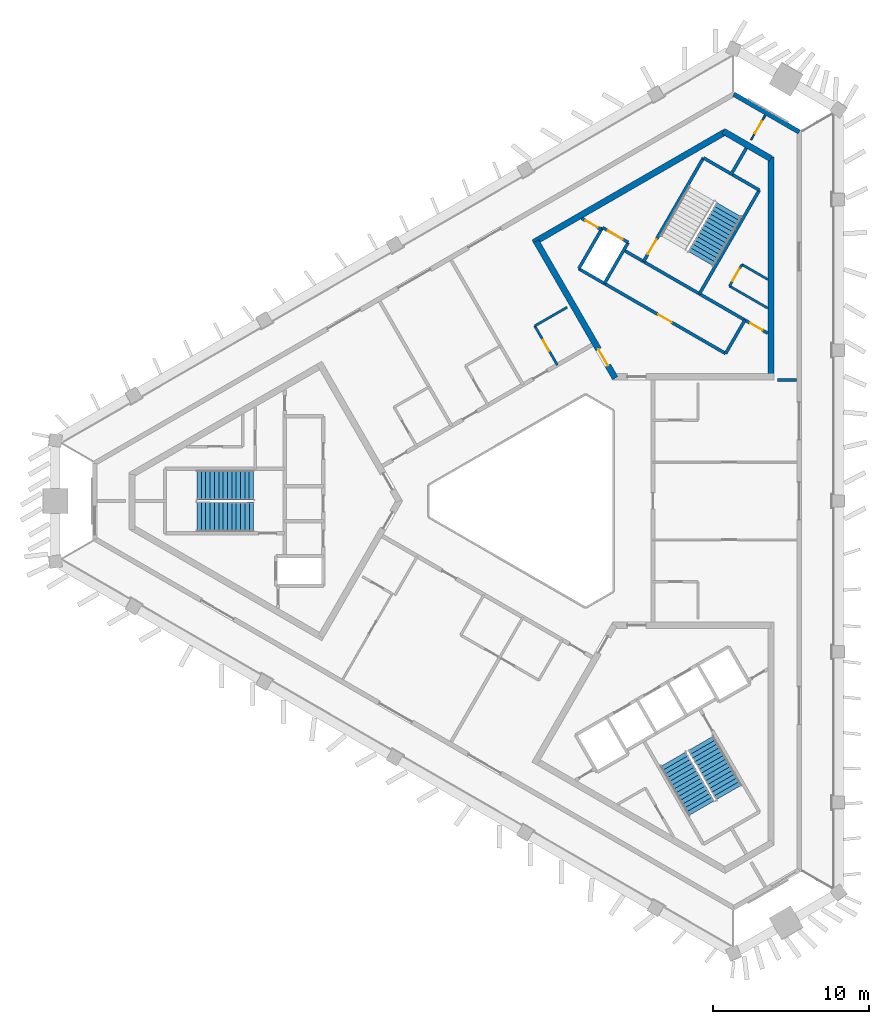
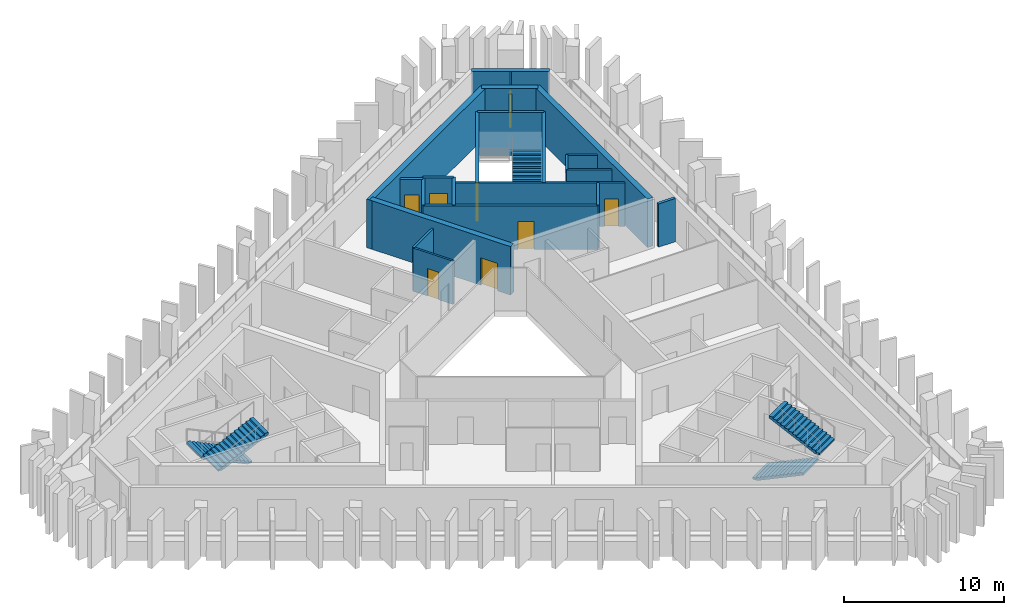
# One storey, part 5 of 9: 23 walls, 9 doors, 5 stair flights, 9 openings, 3 elements without a shape of their own.
"""IFC4 building model written with IfcOpenShell, lengths in metres."""

from ifc_helpers import new_model, si_unit, direction, frame, frame_2d, origin, place, context, subcontext, project, spatial, polyline, rectangle, outline, extrude, material, layer, layer_set, type_object, element, fill, aggregate, save


model = new_model("IFC4")

# Units and contexts
model_context = context("Model", 3, precision=1e-05, world=origin(), true_north=direction((0.0, 1.0)))
body_context = subcontext(model_context, "Body", "Model", "MODEL_VIEW")
ifc_project = project(units=[si_unit("LENGTHUNIT", "METRE"), si_unit("AREAUNIT", "SQUARE_METRE"), si_unit("VOLUMEUNIT", "CUBIC_METRE"), si_unit("PLANEANGLEUNIT", "RADIAN"), si_unit("MASSUNIT", "GRAM", prefix="KILO")], contexts=[model_context])

# Site, building, storey
site_placement = place(None, origin())
site = spatial("IfcSite", under=ifc_project, at=site_placement, CompositionType="ELEMENT")
building_placement = place(site_placement, origin())
building = spatial("IfcBuilding", under=site, at=building_placement, Name="Jabali Bay Hotel Tower and Convention Centre", CompositionType="ELEMENT")
storey_placement = place(building_placement, frame((0.0, 0.0, 277.5)))
storey = spatial("IfcBuildingStorey", under=building, at=storey_placement, Name="L68", CompositionType="ELEMENT", Elevation=277.5)

# Wall
ifc_material_1 = material(Name="Concrete C40", Category="concrete")
ifc_layer_1 = layer(ifc_material_1, 0.199951171875)
ifc_layer_set_1 = layer_set([ifc_layer_1], Name="Concrete C40")
wall_type_1 = type_object("IfcWallType", Name="Core partition wall 200", PredefinedType="PARTITIONING", material=ifc_layer_set_1)
wall_1_placement = place(storey_placement, frame((87.090087890625, 100.9404296875, 0.0), z_axis=(0.0, 0.0, 1.0), x_axis=(0.499941815747, 0.866058993873, 0.0)))
element("IfcWall", 1, at=wall_1_placement, inside=storey, type_object=wall_type_1, Name="Core wall 1.3 L68", PredefinedType="PARTITIONING", context=body_context, shape_type="SweptSolid", body=[
    extrude(rectangle(XDim=2.023193359375, YDim=0.199951171875, at=frame_2d((1.01171875, 0.0))), origin(), (0.0, 0.0, 1.0), 3.300048828125),
])

# Wall, opening, door
wall_2_placement = place(storey_placement, frame((78.7802734375, 97.447509765625, 0.0), z_axis=(0.0, 0.0, 1.0), x_axis=(-0.866045896294, 0.499964504253, 0.0)))
wall_2 = element("IfcWall", 2, at=wall_2_placement, inside=storey, type_object=wall_type_1, Name="Core wall 1.9 L68", PredefinedType="PARTITIONING", context=body_context, shape_type="SweptSolid", body=[
    extrude(rectangle(XDim=1.455078125, YDim=0.199951171875, at=frame_2d((0.7275390625, 0.0))), origin(), (0.0, 0.0, 1.0), 3.300048828125),
])
opening_1_placement = place(wall_2_placement, frame((0.277587890625, 0.0, 0.0)))
opening_1 = element("IfcOpeningElement", 3, at=opening_1_placement, cuts=wall_2, Name="Opening D1504", PredefinedType="OPENING", context=body_context, shape_type="SweptSolid", body=[
    extrude(rectangle(XDim=0.89990234375, YDim=2.10009765625, at=frame_2d((0.449951171875, 1.050048828125))), frame((0.0, 0.1103515625, 0.0), z_axis=(0.0, -1.0, 0.0), x_axis=(1.0, 0.0, 0.0)), (0.0, 0.0, 1.0), 0.220947265625),
])
ifc_material_2 = material(Name="Fire-rated steel door", Category="steel")
door_type_1 = type_object("IfcDoorType", Name="Vestibule fire door 900 x 2100", OperationType="NOTDEFINED", PredefinedType="NOTDEFINED", material=ifc_material_2)
door_1_placement = place(opening_1_placement, origin())
door_1 = element("IfcDoor", 4, at=door_1_placement, inside=storey, type_object=door_type_1, Name="Vestibule fire door D1504", OperationType="SINGLE_SWING_LEFT", OverallHeight=2.10009765625, OverallWidth=0.89990234375, PredefinedType="NOTDEFINED", context=body_context, shape_type="SweptSolid", body=[
    extrude(rectangle(XDim=0.89990234375, YDim=2.10009765625, at=frame_2d((0.449951171875, 1.050048828125))), frame((0.0, 0.02490234375, 0.0), z_axis=(0.0, -1.0, 0.0), x_axis=(1.0, 0.0, 0.0)), (0.0, 0.0, 1.0), 0.050048828125),
])
fill(opening_1, door_1)

ifc_material_3 = material(Name="Fire-rated board partition")
ifc_layer_2 = layer(ifc_material_3, 0.14990234375)
ifc_layer_set_2 = layer_set([ifc_layer_2], Name="Fire-rated board partition")
wall_type_2 = type_object("IfcWallType", Name="Core room partition 150", PredefinedType="PARTITIONING", material=ifc_layer_set_2)
wall_3_placement = place(storey_placement, frame((87.02099609375, 93.821044921875, 0.0), z_axis=(0.0, 0.0, 1.0), x_axis=(0.499995408039, 0.866028054938, 0.0)))
wall_3 = element("IfcWall", 5, at=wall_3_placement, inside=storey, type_object=wall_type_2, Name="Core wall 1.1 L68", PredefinedType="PARTITIONING", context=body_context, shape_type="SweptSolid", body=[
    extrude(rectangle(XDim=1.60009765625, YDim=0.14990234375, at=frame_2d((0.800048828125, 0.0))), origin(), (0.0, 0.0, 1.0), 3.300048828125),
])
opening_2_placement = place(wall_3_placement, frame((0.387451171875, 0.0, 0.0)))
opening_2 = element("IfcOpeningElement", 6, at=opening_2_placement, cuts=wall_3, Name="Opening D1507", PredefinedType="OPENING", context=body_context, shape_type="SweptSolid", body=[
    extrude(rectangle(XDim=0.89990234375, YDim=2.10009765625, at=frame_2d((0.449951171875, 1.050048828125))), frame((0.0, 0.08544921875, 0.0), z_axis=(0.0, -1.0, 0.0), x_axis=(1.0, 0.0, 0.0)), (0.0, 0.0, 1.0), 0.1708984375),
])
door_type_2 = type_object("IfcDoorType", Name="Core room door 900 x 2100", OperationType="NOTDEFINED", PredefinedType="NOTDEFINED", material=ifc_material_2)
door_2_placement = place(opening_2_placement, origin())
door_2 = element("IfcDoor", 7, at=door_2_placement, inside=storey, type_object=door_type_2, Name="Core room door D1507", OperationType="SINGLE_SWING_LEFT", OverallHeight=2.10009765625, OverallWidth=0.89990234375, PredefinedType="NOTDEFINED", context=body_context, shape_type="SweptSolid", body=[
    extrude(rectangle(XDim=0.89990234375, YDim=2.10009765625, at=frame_2d((0.449951171875, 1.050048828125))), frame((0.0, 0.02490234375, 0.0), z_axis=(0.0, -1.0, 0.0), x_axis=(1.0, 0.0, 0.0)), (0.0, 0.0, 1.0), 0.050048828125),
])
fill(opening_2, door_2)

# Walls
wall_4_placement = place(storey_placement, frame((89.47998046875, 92.4013671875, 0.0), z_axis=(0.0, 0.0, 1.0), x_axis=(-0.866028081176, 0.499995362593, 0.0)))
element("IfcWall", 8, at=wall_4_placement, inside=storey, type_object=wall_type_2, Name="Core wall 1.11 L68", PredefinedType="PARTITIONING", context=body_context, shape_type="SweptSolid", body=[
    extrude(rectangle(XDim=2.83935546875, YDim=0.14990234375, at=frame_2d((1.419677734375, 0.0))), origin(), (0.0, 0.0, 1.0), 3.300048828125),
])
wall_5_placement = place(storey_placement, frame((89.47998046875, 94.2490234375, 0.0), z_axis=(0.0, 0.0, 1.0), x_axis=(-0.866030650962, 0.499990911512, 0.0)))
element("IfcWall", 9, at=wall_5_placement, inside=storey, type_object=wall_type_2, Name="Core wall 1.12 L68", PredefinedType="PARTITIONING", context=body_context, shape_type="SweptSolid", body=[
    extrude(rectangle(XDim=1.91552734375, YDim=0.14990234375, at=frame_2d((0.957763671875, 0.0))), origin(), (0.0, 0.0, 1.0), 3.300048828125),
])
ifc_layer_3 = layer(ifc_material_1, 0.199951171875)
ifc_layer_set_3 = layer_set([ifc_layer_3], Name="Concrete C40")
wall_type_3 = type_object("IfcWallType", Name="Core stair wall 200", PredefinedType="SOLIDWALL", material=ifc_layer_set_3)
wall_6_placement = place(storey_placement, frame((86.769775390625, 89.48583984375, 0.0), z_axis=(0.0, 0.0, 1.0), x_axis=(0.499961042966, 0.86604789447, 0.0)))
element("IfcWall", 10, at=wall_6_placement, inside=storey, type_object=wall_type_3, Name="Core wall 1.0 L68", PredefinedType="SOLIDWALL", context=body_context, shape_type="SweptSolid", body=[
    extrude(rectangle(XDim=2.480224609375, YDim=0.199951171875, at=frame_2d((1.240234375, 0.0))), origin(), (0.0, 0.0, 1.0), 3.300048828125),
])
wall_7_placement = place(storey_placement, frame((85.0869140625, 93.3212890625, 0.0), z_axis=(0.0, 0.0, 1.0), x_axis=(0.500019787375, 0.866013979237, 0.0)))
element("IfcWall", 11, at=wall_7_placement, inside=storey, type_object=wall_type_3, Name="Core wall 1.2 L68", PredefinedType="SOLIDWALL", context=body_context, shape_type="SweptSolid", body=[
    extrude(rectangle(XDim=7.699951171875, YDim=0.199951171875, at=frame_2d((3.85009765625, 0.0))), origin(), (0.0, 0.0, 1.0), 3.300048828125),
])

# Wall, opening, door
wall_8_placement = place(storey_placement, frame((81.492919921875, 95.396240234375, 0.0), z_axis=(0.0, 0.0, 1.0), x_axis=(0.500006057782, 0.866021906294, 0.0)))
wall_8 = element("IfcWall", 12, at=wall_8_placement, inside=storey, type_object=wall_type_3, Name="Core wall 1.4 L68", PredefinedType="SOLIDWALL", context=body_context, shape_type="SweptSolid", body=[
    extrude(rectangle(XDim=7.7001953125, YDim=0.199951171875, at=frame_2d((3.85009765625, 0.0))), origin(), (0.0, 0.0, 1.0), 3.300048828125),
])
opening_3_placement = place(wall_8_placement, frame((0.550048828125, 0.0, 0.0)))
opening_3 = element("IfcOpeningElement", 13, at=opening_3_placement, cuts=wall_8, Name="Opening D1506", PredefinedType="OPENING", context=body_context, shape_type="SweptSolid", body=[
    extrude(rectangle(XDim=1.10009765625, YDim=2.10009765625, at=frame_2d((0.550048828125, 1.050048828125))), frame((0.0, 0.1103515625, 0.0), z_axis=(0.0, -1.0, 0.0), x_axis=(1.0, 0.0, 0.0)), (0.0, 0.0, 1.0), 0.220947265625),
])
door_type_3 = type_object("IfcDoorType", Name="Stair fire door 1100 x 2100", OperationType="NOTDEFINED", PredefinedType="NOTDEFINED", material=ifc_material_2)
door_3_placement = place(opening_3_placement, origin())
door_3 = element("IfcDoor", 14, at=door_3_placement, inside=storey, type_object=door_type_3, Name="Stair fire door D1506", OperationType="SINGLE_SWING_RIGHT", OverallHeight=2.10009765625, OverallWidth=1.10009765625, PredefinedType="NOTDEFINED", context=body_context, shape_type="SweptSolid", body=[
    extrude(rectangle(XDim=1.10009765625, YDim=2.10009765625, at=frame_2d((0.550048828125, 1.050048828125))), frame((0.0, 0.02490234375, 0.0), z_axis=(0.0, -1.0, 0.0), x_axis=(1.0, 0.0, 0.0)), (0.0, 0.0, 1.0), 0.050048828125),
])
fill(opening_3, door_3)

# Walls
for number, where, z_axis, x_axis, name in (
    (15, (78.9755859375, 93.98583984375, 0.0), (0.0, 0.0, 1.0), (0.499944174705, 0.866057632134, 0.0), "Core wall 1.5 L68"),
    (16, (77.330078125, 94.93603515625, 0.0), (0.0, 0.0, 1.0), (0.500038867431, 0.8660029625, 0.0), "Core wall 1.6 L68"),
):
    element("IfcWall", number, at=place(storey_placement, frame(where, z_axis=z_axis, x_axis=x_axis)), inside=storey, type_object=wall_type_3, Name=name, PredefinedType="SOLIDWALL", context=body_context, shape_type="SweptSolid", body=[
        extrude(rectangle(XDim=3.050048828125, YDim=0.199951171875, at=frame_2d((1.52490234375, 0.0))), origin(), (0.0, 0.0, 1.0), 3.300048828125),
    ])

# Wall, opening, door
wall_9_placement = place(storey_placement, frame((86.769775390625, 89.48583984375, 0.0), z_axis=(0.0, 0.0, 1.0), x_axis=(-0.86601811187, 0.500012629753, 0.0)))
wall_9 = element("IfcWall", 17, at=wall_9_placement, inside=storey, type_object=wall_type_3, Name="Core wall 1.7 L68", PredefinedType="SOLIDWALL", context=body_context, shape_type="SweptSolid", body=[
    extrude(rectangle(XDim=10.900146484375, YDim=0.199951171875, at=frame_2d((5.4501953125, 0.0))), origin(), (0.0, 0.0, 1.0), 3.300048828125),
])
opening_4_placement = place(wall_9_placement, frame((4.0, 0.0, 0.0)))
opening_4 = element("IfcOpeningElement", 18, at=opening_4_placement, cuts=wall_9, Name="Opening D1503", PredefinedType="OPENING", context=body_context, shape_type="SweptSolid", body=[
    extrude(rectangle(XDim=1.0, YDim=2.10009765625, at=frame_2d((0.5, 1.050048828125))), frame((0.0, 0.1103515625, 0.0), z_axis=(0.0, -1.0, 0.0), x_axis=(1.0, 0.0, 0.0)), (0.0, 0.0, 1.0), 0.220947265625),
])
door_type_4 = type_object("IfcDoorType", Name="Core room door 1000 x 2100", OperationType="NOTDEFINED", PredefinedType="NOTDEFINED", material=ifc_material_2)
door_4_placement = place(opening_4_placement, origin())
door_4 = element("IfcDoor", 19, at=door_4_placement, inside=storey, type_object=door_type_4, Name="Core room door D1503", OperationType="SINGLE_SWING_RIGHT", OverallHeight=2.10009765625, OverallWidth=1.0, PredefinedType="NOTDEFINED", context=body_context, shape_type="SweptSolid", body=[
    extrude(rectangle(XDim=1.0, YDim=2.10009765625, at=frame_2d((0.5, 1.050048828125))), frame((0.0, 0.02490234375, 0.0), z_axis=(0.0, -1.0, 0.0), x_axis=(1.0, 0.0, 0.0)), (0.0, 0.0, 1.0), 0.050048828125),
])
fill(opening_4, door_4)

wall_10_placement = place(storey_placement, frame((89.47998046875, 90.784912109375, 0.0), z_axis=(0.0, 0.0, 1.0), x_axis=(-0.866022544512, 0.500004952373, 0.0)))
wall_10 = element("IfcWall", 20, at=wall_10_placement, inside=storey, type_object=wall_type_3, Name="Core wall 1.8 L68", PredefinedType="SOLIDWALL", context=body_context, shape_type="SweptSolid", body=[
    extrude(rectangle(XDim=10.69775390625, YDim=0.199951171875, at=frame_2d((5.348876953125, 0.0))), origin(), (0.0, 0.0, 1.0), 3.300048828125),
])
opening_5_placement = place(wall_10_placement, frame((0.398681640625, 0.0, 0.0)))
opening_5 = element("IfcOpeningElement", 21, at=opening_5_placement, cuts=wall_10, Name="Opening D1505", PredefinedType="OPENING", context=body_context, shape_type="SweptSolid", body=[
    extrude(rectangle(XDim=0.89990234375, YDim=2.10009765625, at=frame_2d((0.449951171875, 1.050048828125))), frame((0.0, 0.1103515625, 0.0), z_axis=(0.0, -1.0, 0.0), x_axis=(1.0, 0.0, 0.0)), (0.0, 0.0, 1.0), 0.220947265625),
])
door_5_placement = place(opening_5_placement, origin())
door_5 = element("IfcDoor", 22, at=door_5_placement, inside=storey, type_object=door_type_1, Name="Vestibule fire door D1505", OperationType="SINGLE_SWING_LEFT", OverallHeight=2.10009765625, OverallWidth=0.89990234375, PredefinedType="NOTDEFINED", context=body_context, shape_type="SweptSolid", body=[
    extrude(rectangle(XDim=0.89990234375, YDim=2.10009765625, at=frame_2d((0.449951171875, 1.050048828125))), frame((0.0, 0.02490234375, 0.0), z_axis=(0.0, -1.0, 0.0), x_axis=(1.0, 0.0, 0.0)), (0.0, 0.0, 1.0), 0.050048828125),
])
fill(opening_5, door_5)

wall_11_placement = place(storey_placement, frame((80.50048828125, 96.62744140625, 0.0), z_axis=(0.0, 0.0, 1.0), x_axis=(-0.86601224135, 0.500022797313, 0.0)))
wall_11 = element("IfcWall", 23, at=wall_11_placement, inside=storey, type_object=wall_type_3, Name="Core wall 1.10 L68", PredefinedType="SOLIDWALL", context=body_context, shape_type="SweptSolid", body=[
    extrude(rectangle(XDim=1.89990234375, YDim=0.199951171875, at=frame_2d((0.949951171875, 0.0))), origin(), (0.0, 0.0, 1.0), 3.300048828125),
])
opening_6_placement = place(wall_11_placement, frame((0.39990234375, 0.0, 0.0)))
opening_6 = element("IfcOpeningElement", 24, at=opening_6_placement, cuts=wall_11, Name="Opening LD10-L68", PredefinedType="OPENING", context=body_context, shape_type="SweptSolid", body=[
    extrude(rectangle(XDim=1.10009765625, YDim=2.10009765625, at=frame_2d((0.550048828125, 1.050048828125))), frame((0.0, 0.1103515625, 0.0), z_axis=(0.0, -1.0, 0.0), x_axis=(1.0, 0.0, 0.0)), (0.0, 0.0, 1.0), 0.220947265625),
])
ifc_material_4 = material(Name="Stainless steel landing door", Category="steel")
door_type_5 = type_object("IfcDoorType", Name="Landing door 1100 x 2100", OperationType="NOTDEFINED", PredefinedType="NOTDEFINED", material=ifc_material_4)
door_6_placement = place(opening_6_placement, origin())
door_6 = element("IfcDoor", 25, at=door_6_placement, inside=storey, type_object=door_type_5, Name="Landing doors LD10-L68", OperationType="SLIDING_TO_RIGHT", OverallHeight=2.10009765625, OverallWidth=1.10009765625, PredefinedType="NOTDEFINED", context=body_context, shape_type="SweptSolid", body=[
    extrude(rectangle(XDim=1.10009765625, YDim=2.10009765625, at=frame_2d((0.550048828125, 1.050048828125))), frame((0.0, 0.02490234375, 0.0), z_axis=(0.0, -1.0, 0.0), x_axis=(1.0, 0.0, 0.0)), (0.0, 0.0, 1.0), 0.050048828125),
])
fill(opening_6, door_6)

# Walls
wall_12_placement = place(storey_placement, frame((88.93701171875, 99.989501953125, 0.0), z_axis=(0.0, 0.0, 1.0), x_axis=(-0.866004344652, 0.500036473714, 0.0)))
element("IfcWall", 26, at=wall_12_placement, inside=storey, type_object=wall_type_3, Name="Core wall 1.13 L68", PredefinedType="SOLIDWALL", context=body_context, shape_type="SweptSolid", body=[
    extrude(rectangle(XDim=4.150146484375, YDim=0.199951171875, at=frame_2d((2.0751953125, 0.0))), origin(), (0.0, 0.0, 1.0), 3.300048828125),
])
ifc_material_5 = material(Name="Concrete C60", Category="concrete")
ifc_layer_4 = layer(ifc_material_5, 0.39990234375)
ifc_layer_set_4 = layer_set([ifc_layer_4], Name="Concrete C60")
wall_type_4 = type_object("IfcWallType", Name="Core wall 400", PredefinedType="SHEAR", material=ifc_layer_set_4)
wall_13_placement = place(storey_placement, frame((89.679931640625, 87.994140625, 0.0), z_axis=(0.0, 0.0, 1.0), x_axis=(0.0, 1.0, 0.0)))
element("IfcWall", 27, at=wall_13_placement, inside=storey, type_object=wall_type_4, Name="Core wall 2.2 L68", PredefinedType="SHEAR", context=body_context, shape_type="SweptSolid", body=[
    extrude(rectangle(XDim=14.133544921875, YDim=0.39990234375, at=frame_2d((7.06689453125, 0.0))), origin(), (0.0, 0.0, 1.0), 3.699951171875),
])
wall_14_placement = place(storey_placement, frame((89.679931640625, 102.01220703125, 0.0), z_axis=(0.0, 0.0, 1.0), x_axis=(-0.866025485263, 0.499999858875, 0.0)))
element("IfcWall", 28, at=wall_14_placement, inside=storey, type_object=wall_type_4, Name="Core wall 2.3 L68", PredefinedType="SHEAR", context=body_context, shape_type="SweptSolid", body=[
    extrude(rectangle(XDim=3.52978515625, YDim=0.39990234375, at=frame_2d((1.764892578125, 0.0))), origin(), (0.0, 0.0, 1.0), 3.699951171875),
])
wall_15_placement = place(storey_placement, frame((86.72314453125, 103.71923828125, 0.0), z_axis=(0.0, 0.0, 1.0), x_axis=(-0.866030317223, -0.499991489579, 0.0)))
element("IfcWall", 29, at=wall_15_placement, inside=storey, type_object=wall_type_4, Name="Core wall 2.4 L68", PredefinedType="SHEAR", context=body_context, shape_type="SweptSolid", body=[
    extrude(rectangle(XDim=14.218017578125, YDim=0.39990234375, at=frame_2d((7.10888671875, 0.0))), origin(), (0.0, 0.0, 1.0), 3.699951171875),
])

# Wall, opening, door
wall_16_placement = place(storey_placement, frame((74.583251953125, 96.71044921875, 0.0), z_axis=(0.0, 0.0, 1.0), x_axis=(0.499987488796, -0.866032627011, 0.0)))
wall_16 = element("IfcWall", 30, at=wall_16_placement, inside=storey, type_object=wall_type_4, Name="Core wall 2.5 L68", PredefinedType="SHEAR", context=body_context, shape_type="SweptSolid", body=[
    extrude(rectangle(XDim=10.179931640625, YDim=0.39990234375, at=frame_2d((5.08984375, 0.0))), origin(), (0.0, 0.0, 1.0), 3.699951171875),
])
opening_7_placement = place(wall_16_placement, frame((8.030029296875, 0.0, 0.0)))
opening_7 = element("IfcOpeningElement", 31, at=opening_7_placement, cuts=wall_16, Name="Opening D1502", PredefinedType="OPENING", context=body_context, shape_type="SweptSolid", body=[
    extrude(rectangle(XDim=1.199951171875, YDim=2.10009765625, at=frame_2d((0.60009765625, 1.050048828125))), frame((0.0, 0.21044921875, 0.0), z_axis=(0.0, -1.0, 0.0), x_axis=(1.0, 0.0, 0.0)), (0.0, 0.0, 1.0), 0.4208984375),
])
door_type_6 = type_object("IfcDoorType", Name="Corridor end fire door 1200 x 2100", OperationType="NOTDEFINED", PredefinedType="NOTDEFINED", material=ifc_material_2)
door_7_placement = place(opening_7_placement, origin())
door_7 = element("IfcDoor", 32, at=door_7_placement, inside=storey, type_object=door_type_6, Name="Corridor end fire door D1502", OperationType="SINGLE_SWING_LEFT", OverallHeight=2.10009765625, OverallWidth=1.199951171875, PredefinedType="NOTDEFINED", context=body_context, shape_type="SweptSolid", body=[
    extrude(rectangle(XDim=1.199951171875, YDim=2.10009765625, at=frame_2d((0.60009765625, 1.050048828125))), frame((0.0, 0.02490234375, 0.0), z_axis=(0.0, -1.0, 0.0), x_axis=(1.0, 0.0, 0.0)), (0.0, 0.0, 1.0), 0.050048828125),
])
fill(opening_7, door_7)

# Wall
ifc_layer_5 = layer(ifc_material_1, 0.300048828125)
ifc_layer_set_5 = layer_set([ifc_layer_5], Name="Concrete C40")
wall_type_5 = type_object("IfcWallType", Name="External wall 300", PredefinedType="SOLIDWALL", material=ifc_layer_set_5)
wall_17_placement = place(storey_placement, frame((87.299072265625, 106.1572265625, 0.0), z_axis=(0.0, 0.0, 1.0), x_axis=(0.866003008796, -0.500038787251, 0.0)))
element("IfcWall", 33, at=wall_17_placement, inside=storey, type_object=wall_type_5, Name="External wall north-east chamfer L68", PredefinedType="SOLIDWALL", context=body_context, shape_type="SweptSolid", body=[
    extrude(rectangle(XDim=4.8544921875, YDim=0.300048828125, at=frame_2d((2.42724609375, 0.0))), origin(), (0.0, 0.0, 1.0), 3.300048828125),
])

# Wall, opening, door
ifc_material_6 = material(Name="Plasterboard on steel stud", Category="steel")
ifc_layer_6 = layer(ifc_material_6, 0.10009765625)
ifc_layer_set_6 = layer_set([ifc_layer_6], Name="Plasterboard on steel stud")
wall_type_6 = type_object("IfcWallType", Name="Partition 100 unit", PredefinedType="PARTITIONING", material=ifc_layer_set_6)
wall_18_placement = place(storey_placement, frame((88.41162109375, 103.2294921875, 0.0), z_axis=(0.0, 0.0, 1.0), x_axis=(0.500014506688, 0.866017028182, 0.0)))
wall_18 = element("IfcWall", 34, at=wall_18_placement, inside=storey, type_object=wall_type_6, Name="Partition P02 L68 012", PredefinedType="PARTITIONING", context=body_context, shape_type="SweptSolid", body=[
    extrude(rectangle(XDim=1.80908203125, YDim=0.10009765625, at=frame_2d((0.904541015625, 0.0))), origin(), (0.0, 0.0, 1.0), 3.300048828125),
])
opening_8_placement = place(wall_18_placement, frame((0.455078125, 0.0, 0.0)))
opening_8 = element("IfcOpeningElement", 35, at=opening_8_placement, cuts=wall_18, Name="Opening 6818", PredefinedType="OPENING", context=body_context, shape_type="SweptSolid", body=[
    extrude(rectangle(XDim=0.89990234375, YDim=2.10009765625, at=frame_2d((0.449951171875, 1.050048828125))), frame((0.0, 0.060546875, 0.0), z_axis=(0.0, -1.0, 0.0), x_axis=(1.0, 0.0, 0.0)), (0.0, 0.0, 1.0), 0.12109375),
])
ifc_material_7 = material(Name="Timber", Category="wood")
door_type_7 = type_object("IfcDoorType", Name="Internal door 900 x 2100", OperationType="NOTDEFINED", PredefinedType="NOTDEFINED", material=ifc_material_7)
door_8_placement = place(opening_8_placement, origin())
door_8 = element("IfcDoor", 36, at=door_8_placement, inside=storey, type_object=door_type_7, Name="Door 6818", OperationType="SINGLE_SWING_RIGHT", OverallHeight=2.10009765625, OverallWidth=0.89990234375, PredefinedType="NOTDEFINED", context=body_context, shape_type="SweptSolid", body=[
    extrude(rectangle(XDim=0.89990234375, YDim=2.10009765625, at=frame_2d((0.449951171875, 1.050048828125))), frame((0.0, 0.02490234375, 0.0), z_axis=(0.0, -1.0, 0.0), x_axis=(1.0, 0.0, 0.0)), (0.0, 0.0, 1.0), 0.050048828125),
])
fill(opening_8, door_8)

ifc_layer_7 = layer(ifc_material_6, 0.14990234375)
ifc_layer_set_7 = layer_set([ifc_layer_7], Name="Plasterboard on steel stud")
wall_type_7 = type_object("IfcWallType", Name="Partition 150 wet", PredefinedType="PARTITIONING", material=ifc_layer_set_7)
wall_19_placement = place(storey_placement, frame((75.9482421875, 88.745849609375, 0.0), z_axis=(0.0, 0.0, 1.0), x_axis=(-0.499987231761, 0.866032775405, 0.0)))
wall_19 = element("IfcWall", 37, at=wall_19_placement, inside=storey, type_object=wall_type_7, Name="Partition P03 L68 009", PredefinedType="PARTITIONING", context=body_context, shape_type="SweptSolid", body=[
    extrude(rectangle(XDim=2.89990234375, YDim=0.14990234375, at=frame_2d((1.449951171875, 0.0))), origin(), (0.0, 0.0, 1.0), 3.300048828125),
])
opening_9_placement = place(wall_19_placement, frame((1.050048828125, 0.0, 0.0)))
opening_9 = element("IfcOpeningElement", 38, at=opening_9_placement, cuts=wall_19, Name="Opening 6806", PredefinedType="OPENING", context=body_context, shape_type="SweptSolid", body=[
    extrude(rectangle(XDim=0.800048828125, YDim=2.10009765625, at=frame_2d((0.39990234375, 1.050048828125))), frame((0.0, 0.08544921875, 0.0), z_axis=(0.0, -1.0, 0.0), x_axis=(1.0, 0.0, 0.0)), (0.0, 0.0, 1.0), 0.1708984375),
])
door_type_8 = type_object("IfcDoorType", Name="En-suite door 800 x 2100", OperationType="NOTDEFINED", PredefinedType="NOTDEFINED", material=ifc_material_7)
door_9_placement = place(opening_9_placement, origin())
door_9 = element("IfcDoor", 39, at=door_9_placement, inside=storey, type_object=door_type_8, Name="Door 6806", OperationType="SINGLE_SWING_RIGHT", OverallHeight=2.10009765625, OverallWidth=0.800048828125, PredefinedType="NOTDEFINED", context=body_context, shape_type="SweptSolid", body=[
    extrude(rectangle(XDim=0.800048828125, YDim=2.10009765625, at=frame_2d((0.39990234375, 1.050048828125))), frame((0.0, 0.02490234375, 0.0), z_axis=(0.0, -1.0, 0.0), x_axis=(1.0, 0.0, 0.0)), (0.0, 0.0, 1.0), 0.050048828125),
])
fill(opening_9, door_9)

# Walls
wall_20_placement = place(storey_placement, frame((74.498291015625, 91.25732421875, 0.0), z_axis=(0.0, 0.0, 1.0), x_axis=(0.866038271014, 0.499977712642, 0.0)))
element("IfcWall", 40, at=wall_20_placement, inside=storey, type_object=wall_type_7, Name="Partition P03 L68 010", PredefinedType="PARTITIONING", context=body_context, shape_type="SweptSolid", body=[
    extrude(rectangle(XDim=2.40087890625, YDim=0.14990234375, at=frame_2d((1.200439453125, 0.0))), origin(), (0.0, 0.0, 1.0), 3.300048828125),
])
ifc_layer_8 = layer(ifc_material_6, 0.199951171875)
ifc_layer_set_8 = layer_set([ifc_layer_8], Name="Plasterboard on steel stud")
wall_type_8 = type_object("IfcWallType", Name="Partition 200 party", PredefinedType="PARTITIONING", material=ifc_layer_set_8)
wall_21_placement = place(storey_placement, frame((91.333251953125, 87.794189453125, 0.0), z_axis=(0.0, 0.0, 1.0), x_axis=(-1.0, 0.0, 0.0)))
element("IfcWall", 41, at=wall_21_placement, inside=storey, type_object=wall_type_8, Name="Partition P01 L68 008", PredefinedType="PARTITIONING", context=body_context, shape_type="SweptSolid", body=[
    extrude(rectangle(XDim=1.233154296875, YDim=0.199951171875, at=frame_2d((0.61669921875, 0.0))), origin(), (0.0, 0.0, 1.0), 3.300048828125),
])

# Stair, stair flights
stair_type = type_object("IfcStairType", Name="Exit stair 1900", PredefinedType="HALF_TURN_STAIR", material=ifc_material_1)
stair_1_placement = place(storey_placement, origin())
stair_1 = element("IfcStair", 42, at=stair_1_placement, inside=storey, type_object=stair_type, Name="L68 Exit Stair 1", PredefinedType="HALF_TURN_STAIR")
stair_flight_type = type_object("IfcStairFlightType", Name="Stair flight concrete 150", PredefinedType="STRAIGHT", material=ifc_material_1)
stair_flight_1_placement = place(storey_placement, frame((56.419921875, 81.02490234375, 0.0), z_axis=(0.0, 0.0, 1.0), x_axis=(-1.0, 0.0, 0.0)))
stair_flight_1 = element("IfcStairFlight", 43, at=stair_flight_1_placement, type_object=stair_flight_type, Name="ST1 flight 1", NumberOfRisers=14, NumberOfTreads=13, PredefinedType="STRAIGHT", RiserHeight=0.132142857, TreadLength=0.28, context=body_context, shape_type="SweptSolid", body=[
    extrude(outline(polyline([(0.0, 0.0), (0.0, 0.132080078125), (0.280029296875, 0.132080078125), (0.280029296875, 0.264404296875), (0.56005859375, 0.264404296875), (0.56005859375, 0.396484375), (0.840087890625, 0.396484375), (0.840087890625, 0.528564453125), (1.1201171875, 0.528564453125), (1.1201171875, 0.66064453125), (1.39990234375, 0.66064453125), (1.39990234375, 0.79296875), (1.679931640625, 0.79296875), (1.679931640625, 0.925048828125), (1.9599609375, 0.925048828125), (1.9599609375, 1.05712890625), (2.239990234375, 1.05712890625), (2.239990234375, 1.189208984375), (2.52001953125, 1.189208984375), (2.52001953125, 1.321533203125), (2.800048828125, 1.321533203125), (2.800048828125, 1.45361328125), (3.080078125, 1.45361328125), (3.080078125, 1.585693359375), (3.360107421875, 1.585693359375), (3.360107421875, 1.7177734375), (3.639892578125, 1.7177734375), (3.639892578125, 1.85009765625), (3.639892578125, 1.552001953125), (0.351318359375, 0.0), (0.0, 0.0)])), frame((0.0, 0.949951171875, 0.0), z_axis=(0.0, -1.0, 0.0), x_axis=(1.0, 0.0, 0.0)), (0.0, 0.0, 1.0), 1.89990234375),
])
stair_flight_2_placement = place(storey_placement, frame((52.780029296875, 78.97509765625, 1.85009765625), z_axis=(0.0, 0.0, 1.0), x_axis=(1.0, 0.0, 0.0)))
stair_flight_2 = element("IfcStairFlight", 44, at=stair_flight_2_placement, type_object=stair_flight_type, Name="ST1 flight 2", NumberOfRisers=14, NumberOfTreads=13, PredefinedType="STRAIGHT", RiserHeight=0.132142857, TreadLength=0.28, context=body_context, shape_type="SweptSolid", body=[
    extrude(outline(polyline([(0.0, 0.0), (0.0, 0.132080078125), (0.280029296875, 0.132080078125), (0.280029296875, 0.264404296875), (0.56005859375, 0.264404296875), (0.56005859375, 0.396484375), (0.840087890625, 0.396484375), (0.840087890625, 0.528564453125), (1.1201171875, 0.528564453125), (1.1201171875, 0.66064453125), (1.39990234375, 0.66064453125), (1.39990234375, 0.79296875), (1.679931640625, 0.79296875), (1.679931640625, 0.925048828125), (1.9599609375, 0.925048828125), (1.9599609375, 1.05712890625), (2.239990234375, 1.05712890625), (2.239990234375, 1.189208984375), (2.52001953125, 1.189208984375), (2.52001953125, 1.321533203125), (2.800048828125, 1.321533203125), (2.800048828125, 1.45361328125), (3.080078125, 1.45361328125), (3.080078125, 1.585693359375), (3.360107421875, 1.585693359375), (3.360107421875, 1.7177734375), (3.639892578125, 1.7177734375), (3.639892578125, 1.85009765625), (3.639892578125, 1.552001953125), (0.351318359375, 0.0), (0.0, 0.0)])), frame((0.0, 0.949951171875, 0.0), z_axis=(0.0, -1.0, 0.0), x_axis=(1.0, 0.0, 0.0)), (0.0, 0.0, 1.0), 1.89990234375),
])
aggregate(stair_1, [stair_flight_1, stair_flight_2])

# Stair, stair flight
stair_2_placement = place(storey_placement, origin())
stair_2 = element("IfcStair", 45, at=stair_2_placement, inside=storey, type_object=stair_type, Name="L68 Exit Stair 2", PredefinedType="HALF_TURN_STAIR")
stair_flight_3_placement = place(storey_placement, frame((85.177734375, 95.578369140625, 0.0), z_axis=(0.0, 0.0, 1.0), x_axis=(0.5, 0.866025403784, 0.0)))
stair_flight_3 = element("IfcStairFlight", 46, at=stair_flight_3_placement, type_object=stair_flight_type, Name="ST2 flight 1", NumberOfRisers=14, NumberOfTreads=13, PredefinedType="STRAIGHT", RiserHeight=0.132142857, TreadLength=0.28, context=body_context, shape_type="SweptSolid", body=[
    extrude(outline(polyline([(0.0, 0.0), (0.0, 0.132080078125), (0.280029296875, 0.132080078125), (0.280029296875, 0.264404296875), (0.56005859375, 0.264404296875), (0.56005859375, 0.396484375), (0.840087890625, 0.396484375), (0.840087890625, 0.528564453125), (1.1201171875, 0.528564453125), (1.1201171875, 0.66064453125), (1.39990234375, 0.66064453125), (1.39990234375, 0.79296875), (1.679931640625, 0.79296875), (1.679931640625, 0.925048828125), (1.9599609375, 0.925048828125), (1.9599609375, 1.05712890625), (2.239990234375, 1.05712890625), (2.239990234375, 1.189208984375), (2.52001953125, 1.189208984375), (2.52001953125, 1.321533203125), (2.800048828125, 1.321533203125), (2.800048828125, 1.45361328125), (3.080078125, 1.45361328125), (3.080078125, 1.585693359375), (3.360107421875, 1.585693359375), (3.360107421875, 1.7177734375), (3.639892578125, 1.7177734375), (3.639892578125, 1.85009765625), (3.639892578125, 1.552001953125), (0.351318359375, 0.0), (0.0, 0.0)])), frame((0.0, 0.949951171875, 0.0), z_axis=(0.0, -1.0, 0.0), x_axis=(1.0, 0.0, 0.0)), (0.0, 0.0, 1.0), 1.89990234375),
])
aggregate(stair_2, [stair_flight_3])

# Stair, stair flights
stair_3_placement = place(storey_placement, origin())
stair_3 = element("IfcStair", 47, at=stair_3_placement, inside=storey, type_object=stair_type, Name="L68 Exit Stair 3", PredefinedType="HALF_TURN_STAIR")
stair_flight_4_placement = place(storey_placement, frame((83.40234375, 63.396728515625, 0.0), z_axis=(0.0, 0.0, 1.0), x_axis=(0.5, -0.866025403784, 0.0)))
stair_flight_4 = element("IfcStairFlight", 48, at=stair_flight_4_placement, type_object=stair_flight_type, Name="ST3 flight 1", NumberOfRisers=14, NumberOfTreads=13, PredefinedType="STRAIGHT", RiserHeight=0.132142857, TreadLength=0.28, context=body_context, shape_type="SweptSolid", body=[
    extrude(outline(polyline([(0.0, 0.0), (0.0, 0.132080078125), (0.280029296875, 0.132080078125), (0.280029296875, 0.264404296875), (0.56005859375, 0.264404296875), (0.56005859375, 0.396484375), (0.840087890625, 0.396484375), (0.840087890625, 0.528564453125), (1.1201171875, 0.528564453125), (1.1201171875, 0.66064453125), (1.39990234375, 0.66064453125), (1.39990234375, 0.79296875), (1.679931640625, 0.79296875), (1.679931640625, 0.925048828125), (1.9599609375, 0.925048828125), (1.9599609375, 1.05712890625), (2.239990234375, 1.05712890625), (2.239990234375, 1.189208984375), (2.52001953125, 1.189208984375), (2.52001953125, 1.321533203125), (2.800048828125, 1.321533203125), (2.800048828125, 1.45361328125), (3.080078125, 1.45361328125), (3.080078125, 1.585693359375), (3.360107421875, 1.585693359375), (3.360107421875, 1.7177734375), (3.639892578125, 1.7177734375), (3.639892578125, 1.85009765625), (3.639892578125, 1.552001953125), (0.351318359375, 0.0), (0.0, 0.0)])), frame((0.0, 0.949951171875, 0.0), z_axis=(0.0, -1.0, 0.0), x_axis=(1.0, 0.0, 0.0)), (0.0, 0.0, 1.0), 1.89990234375),
])
stair_flight_5_placement = place(storey_placement, frame((86.99755859375, 61.26953125, 1.85009765625), z_axis=(0.0, 0.0, 1.0), x_axis=(-0.5, 0.866025403784, 0.0)))
stair_flight_5 = element("IfcStairFlight", 49, at=stair_flight_5_placement, type_object=stair_flight_type, Name="ST3 flight 2", NumberOfRisers=14, NumberOfTreads=13, PredefinedType="STRAIGHT", RiserHeight=0.132142857, TreadLength=0.28, context=body_context, shape_type="SweptSolid", body=[
    extrude(outline(polyline([(0.0, 0.0), (0.0, 0.132080078125), (0.280029296875, 0.132080078125), (0.280029296875, 0.264404296875), (0.56005859375, 0.264404296875), (0.56005859375, 0.396484375), (0.840087890625, 0.396484375), (0.840087890625, 0.528564453125), (1.1201171875, 0.528564453125), (1.1201171875, 0.66064453125), (1.39990234375, 0.66064453125), (1.39990234375, 0.79296875), (1.679931640625, 0.79296875), (1.679931640625, 0.925048828125), (1.9599609375, 0.925048828125), (1.9599609375, 1.05712890625), (2.239990234375, 1.05712890625), (2.239990234375, 1.189208984375), (2.52001953125, 1.189208984375), (2.52001953125, 1.321533203125), (2.800048828125, 1.321533203125), (2.800048828125, 1.45361328125), (3.080078125, 1.45361328125), (3.080078125, 1.585693359375), (3.360107421875, 1.585693359375), (3.360107421875, 1.7177734375), (3.639892578125, 1.7177734375), (3.639892578125, 1.85009765625), (3.639892578125, 1.552001953125), (0.351318359375, 0.0), (0.0, 0.0)])), frame((0.0, 0.949951171875, 0.0), z_axis=(0.0, -1.0, 0.0), x_axis=(1.0, 0.0, 0.0)), (0.0, 0.0, 1.0), 1.89990234375),
])
aggregate(stair_3, [stair_flight_4, stair_flight_5])

save(model, "model.ifc")
